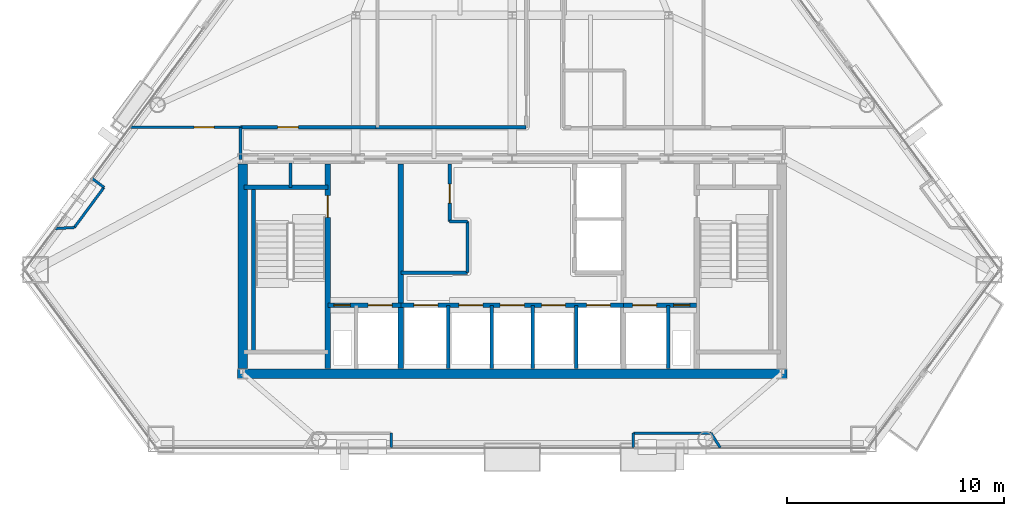
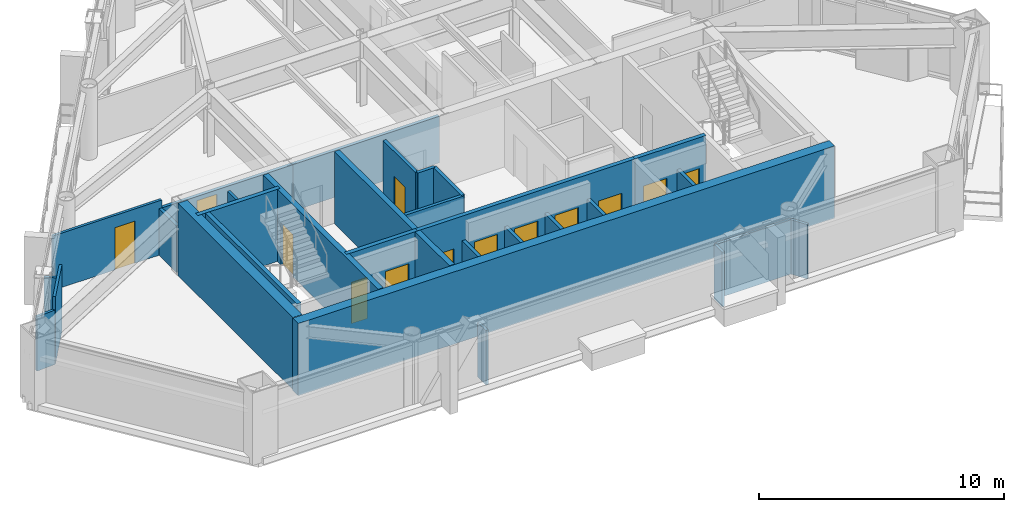
# One storey, part 7 of 11: 30 walls, 13 doors, 13 openings.
"""IFC4 building model written with IfcOpenShell, lengths in metres."""

from ifc_helpers import new_model, si_unit, direction, frame, frame_2d, origin, place, context, subcontext, project, spatial, rectangle, extrude, material, layer, layer_set, type_object, element, fill, save


model = new_model("IFC4")

# Units and contexts
model_context = context("Model", 3, precision=1e-05, world=origin(), true_north=direction((0.0, 1.0)))
body_context = subcontext(model_context, "Body", "Model", "MODEL_VIEW")
ifc_project = project(units=[si_unit("LENGTHUNIT", "METRE"), si_unit("AREAUNIT", "SQUARE_METRE"), si_unit("VOLUMEUNIT", "CUBIC_METRE"), si_unit("PLANEANGLEUNIT", "RADIAN"), si_unit("MASSUNIT", "GRAM", prefix="KILO")], contexts=[model_context])

# Site, building, storey
site_placement = place(None, origin())
site = spatial("IfcSite", under=ifc_project, at=site_placement, CompositionType="ELEMENT")
building_placement = place(site_placement, origin())
building = spatial("IfcBuilding", under=site, at=building_placement, Name="Talgorran Terracotta Tower", CompositionType="ELEMENT")
storey_placement = place(building_placement, frame((0.0, 0.0, 103.199951171875)))
storey = spatial("IfcBuildingStorey", under=building, at=storey_placement, Name="L26", CompositionType="ELEMENT", Elevation=103.199951171875)

# Walls
ifc_material_1 = material(Name="Concrete C50/60", Category="concrete")
ifc_layer_1 = layer(ifc_material_1, 0.199951171875, Name="WT_CORE_200")
ifc_layer_set_1 = layer_set([ifc_layer_1], Name="Concrete C50/60")
wall_type_1 = type_object("IfcWallType", Name="WT_CORE_200", PredefinedType="SOLIDWALL", material=ifc_layer_set_1)
wall_1_placement = place(storey_placement, frame((-12.35009765625, -5.52001953125, 0.0), z_axis=(0.0, 0.0, 1.0), x_axis=(1.0, 0.0, 0.0)))
element("IfcWall", 1, at=wall_1_placement, inside=storey, type_object=wall_type_1, Name="WL-L26-CW-ST1-N", PredefinedType="SOLIDWALL", context=body_context, shape_type="SweptSolid", body=[
    extrude(rectangle(XDim=3.8701171875, YDim=0.199951171875, at=frame_2d((1.93505859375, 0.0))), origin(), (0.0, 0.0, 1.0), 3.60009765625),
])
wall_2_placement = place(storey_placement, frame((-11.89990234375, -13.10009765625, 0.0), z_axis=(0.0, 0.0, 1.0), x_axis=(0.0, 1.0, 0.0)))
element("IfcWall", 2, at=wall_2_placement, inside=storey, type_object=wall_type_1, Name="WL-L26-CW-ST1-W", PredefinedType="SOLIDWALL", context=body_context, shape_type="SweptSolid", body=[
    extrude(rectangle(XDim=7.580078125, YDim=0.199951171875, at=frame_2d((3.7900390625, 0.0))), origin(), (0.0, 0.0, 1.0), 3.60009765625),
])

# Wall, openings, doors
wall_3_placement = place(storey_placement, frame((-8.47998046875, -10.949951171875, 0.0), z_axis=(0.0, 0.0, 1.0), x_axis=(1.0, 0.0, 0.0)))
wall_3 = element("IfcWall", 3, at=wall_3_placement, inside=storey, type_object=wall_type_1, Name="WL-L26-CW-H-SBW", PredefinedType="SOLIDWALL", context=body_context, shape_type="SweptSolid", body=[
    extrude(rectangle(XDim=3.35986328125, YDim=0.199951171875, at=frame_2d((1.679931640625, 0.0))), origin(), (0.0, 0.0, 1.0), 3.60009765625),
])
opening_1_placement = place(wall_3_placement, frame((0.280029296875, 0.0, 0.0)))
opening_1 = element("IfcOpeningElement", 4, at=opening_1_placement, cuts=wall_3, Name="Opening DR-RSW", PredefinedType="OPENING", context=body_context, shape_type="SweptSolid", body=[
    extrude(rectangle(XDim=0.756, YDim=2.054048828125, at=frame_2d((0.375, 1.027099609375))), frame((0.0, 0.10986328125, 0.0), z_axis=(0.0, -1.0, 0.0), x_axis=(1.0, 0.0, 0.0)), (0.0, 0.0, 1.0), 0.219970703125),
])
opening_2_placement = place(wall_3_placement, frame((1.85009765625, 0.0, 0.0)))
opening_2 = element("IfcOpeningElement", 5, at=opening_2_placement, cuts=wall_3, Name="Opening LD-FFL1", PredefinedType="OPENING", context=body_context, shape_type="SweptSolid", body=[
    extrude(rectangle(XDim=1.10609765625, YDim=2.10409765625, at=frame_2d((0.550048828125, 1.052001953125))), frame((0.0, 0.10986328125, 0.0), z_axis=(0.0, -1.0, 0.0), x_axis=(1.0, 0.0, 0.0)), (0.0, 0.0, 1.0), 0.219970703125),
])
ifc_material_2 = material(Name="Brushed Stainless Steel Grade 304", Category="steel")
door_type_1 = type_object("IfcDoorType", Name="DT_LIFT_LD1100", OperationType="DOUBLE_DOOR_SLIDING", PredefinedType="DOOR", material=ifc_material_2)
door_1_placement = place(opening_2_placement, origin())
door_1 = element("IfcDoor", 6, at=door_1_placement, inside=storey, type_object=door_type_1, Name="L26 Lift Landing Door LD-FFL1", OperationType="DOUBLE_DOOR_SLIDING", OverallHeight=2.10009765625, OverallWidth=1.10009765625, PredefinedType="DOOR", context=body_context, shape_type="SweptSolid", body=[
    extrude(rectangle(XDim=1.10009765625, YDim=2.10009765625, at=frame_2d((0.550048828125, 1.050048828125))), frame((0.0, 0.02490234375, 0.0), z_axis=(0.0, -1.0, 0.0), x_axis=(1.0, 0.0, 0.0)), (0.0, 0.0, 1.0), 0.050048828125),
])
fill(opening_2, door_1)
ifc_material_3 = material(Name="Fire-Rated Pressed Steel", Category="steel")
door_type_2 = type_object("IfcDoorType", Name="DT_RISER_750", OperationType="NOTDEFINED", PredefinedType="DOOR", material=ifc_material_3)
door_2_placement = place(opening_1_placement, origin())
door_2 = element("IfcDoor", 7, at=door_2_placement, inside=storey, type_object=door_type_2, Name="DR-RSW", OperationType="SINGLE_SWING_LEFT", OverallHeight=2.050048828125, OverallWidth=0.75, PredefinedType="DOOR", context=body_context, shape_type="SweptSolid", body=[
    extrude(rectangle(XDim=0.75, YDim=2.050048828125, at=frame_2d((0.375, 1.02490234375))), frame((0.0, 0.02490234375, 0.0), z_axis=(0.0, -1.0, 0.0), x_axis=(1.0, 0.0, 0.0)), (0.0, 0.0, 1.0), 0.050048828125),
])
fill(opening_1, door_2)

wall_4_placement = place(storey_placement, frame((-5.1201171875, -10.949951171875, 0.0), z_axis=(0.0, 0.0, 1.0), x_axis=(1.0, 0.0, 0.0)))
wall_4 = element("IfcWall", 8, at=wall_4_placement, inside=storey, type_object=wall_type_1, Name="WL-L26-CW-H-SBC", PredefinedType="SOLIDWALL", context=body_context, shape_type="SweptSolid", body=[
    extrude(rectangle(XDim=10.240234375, YDim=0.199951171875, at=frame_2d((5.1201171875, 0.0))), origin(), (0.0, 0.0, 1.0), 3.60009765625),
])
opening_3_placement = place(wall_4_placement, frame((0.60009765625, 0.0, 0.0)))
opening_3 = element("IfcOpeningElement", 9, at=opening_3_placement, cuts=wall_4, Name="Opening LD-OB1", PredefinedType="OPENING", context=body_context, shape_type="SweptSolid", body=[
    extrude(rectangle(XDim=1.10609765625, YDim=2.10409765625, at=frame_2d((0.550048828125, 1.052001953125))), frame((0.0, 0.10986328125, 0.0), z_axis=(0.0, -1.0, 0.0), x_axis=(1.0, 0.0, 0.0)), (0.0, 0.0, 1.0), 0.219970703125),
])
opening_4_placement = place(wall_4_placement, frame((2.669921875, 0.0, 0.0)))
opening_4 = element("IfcOpeningElement", 10, at=opening_4_placement, cuts=wall_4, Name="Opening LD-PLH1", PredefinedType="OPENING", context=body_context, shape_type="SweptSolid", body=[
    extrude(rectangle(XDim=1.10609765625, YDim=2.10409765625, at=frame_2d((0.550048828125, 1.052001953125))), frame((0.0, 0.10986328125, 0.0), z_axis=(0.0, -1.0, 0.0), x_axis=(1.0, 0.0, 0.0)), (0.0, 0.0, 1.0), 0.219970703125),
])
opening_5_placement = place(wall_4_placement, frame((4.570068359375, 0.0, 0.0)))
opening_5 = element("IfcOpeningElement", 11, at=opening_5_placement, cuts=wall_4, Name="Opening LD-PLH2", PredefinedType="OPENING", context=body_context, shape_type="SweptSolid", body=[
    extrude(rectangle(XDim=1.10609765625, YDim=2.10409765625, at=frame_2d((0.550048828125, 1.052001953125))), frame((0.0, 0.10986328125, 0.0), z_axis=(0.0, -1.0, 0.0), x_axis=(1.0, 0.0, 0.0)), (0.0, 0.0, 1.0), 0.219970703125),
])
opening_6_placement = place(wall_4_placement, frame((6.469970703125, 0.0, 0.0)))
opening_6 = element("IfcOpeningElement", 12, at=opening_6_placement, cuts=wall_4, Name="Opening LD-PLH3", PredefinedType="OPENING", context=body_context, shape_type="SweptSolid", body=[
    extrude(rectangle(XDim=1.10609765625, YDim=2.10409765625, at=frame_2d((0.550048828125, 1.052001953125))), frame((0.0, 0.10986328125, 0.0), z_axis=(0.0, -1.0, 0.0), x_axis=(1.0, 0.0, 0.0)), (0.0, 0.0, 1.0), 0.219970703125),
])
opening_7_placement = place(wall_4_placement, frame((8.5400390625, 0.0, 0.0)))
opening_7 = element("IfcOpeningElement", 13, at=opening_7_placement, cuts=wall_4, Name="Opening LD-SVL1", PredefinedType="OPENING", context=body_context, shape_type="SweptSolid", body=[
    extrude(rectangle(XDim=1.10609765625, YDim=2.10409765625, at=frame_2d((0.550048828125, 1.052001953125))), frame((0.0, 0.10986328125, 0.0), z_axis=(0.0, -1.0, 0.0), x_axis=(1.0, 0.0, 0.0)), (0.0, 0.0, 1.0), 0.219970703125),
])
door_3_placement = place(opening_3_placement, origin())
door_3 = element("IfcDoor", 14, at=door_3_placement, inside=storey, type_object=door_type_1, Name="L26 Lift Landing Door LD-OB1", OperationType="DOUBLE_DOOR_SLIDING", OverallHeight=2.10009765625, OverallWidth=1.10009765625, PredefinedType="DOOR", context=body_context, shape_type="SweptSolid", body=[
    extrude(rectangle(XDim=1.10009765625, YDim=2.10009765625, at=frame_2d((0.550048828125, 1.050048828125))), frame((0.0, 0.02490234375, 0.0), z_axis=(0.0, -1.0, 0.0), x_axis=(1.0, 0.0, 0.0)), (0.0, 0.0, 1.0), 0.050048828125),
])
fill(opening_3, door_3)
door_4_placement = place(opening_4_placement, origin())
door_4 = element("IfcDoor", 15, at=door_4_placement, inside=storey, type_object=door_type_1, Name="L26 Lift Landing Door LD-PLH1", OperationType="DOUBLE_DOOR_SLIDING", OverallHeight=2.10009765625, OverallWidth=1.10009765625, PredefinedType="DOOR", context=body_context, shape_type="SweptSolid", body=[
    extrude(rectangle(XDim=1.10009765625, YDim=2.10009765625, at=frame_2d((0.550048828125, 1.050048828125))), frame((0.0, 0.02490234375, 0.0), z_axis=(0.0, -1.0, 0.0), x_axis=(1.0, 0.0, 0.0)), (0.0, 0.0, 1.0), 0.050048828125),
])
fill(opening_4, door_4)
door_5_placement = place(opening_5_placement, origin())
door_5 = element("IfcDoor", 16, at=door_5_placement, inside=storey, type_object=door_type_1, Name="L26 Lift Landing Door LD-PLH2", OperationType="DOUBLE_DOOR_SLIDING", OverallHeight=2.10009765625, OverallWidth=1.10009765625, PredefinedType="DOOR", context=body_context, shape_type="SweptSolid", body=[
    extrude(rectangle(XDim=1.10009765625, YDim=2.10009765625, at=frame_2d((0.550048828125, 1.050048828125))), frame((0.0, 0.02490234375, 0.0), z_axis=(0.0, -1.0, 0.0), x_axis=(1.0, 0.0, 0.0)), (0.0, 0.0, 1.0), 0.050048828125),
])
fill(opening_5, door_5)
door_6_placement = place(opening_6_placement, origin())
door_6 = element("IfcDoor", 17, at=door_6_placement, inside=storey, type_object=door_type_1, Name="L26 Lift Landing Door LD-PLH3", OperationType="DOUBLE_DOOR_SLIDING", OverallHeight=2.10009765625, OverallWidth=1.10009765625, PredefinedType="DOOR", context=body_context, shape_type="SweptSolid", body=[
    extrude(rectangle(XDim=1.10009765625, YDim=2.10009765625, at=frame_2d((0.550048828125, 1.050048828125))), frame((0.0, 0.02490234375, 0.0), z_axis=(0.0, -1.0, 0.0), x_axis=(1.0, 0.0, 0.0)), (0.0, 0.0, 1.0), 0.050048828125),
])
fill(opening_6, door_6)
door_7_placement = place(opening_7_placement, origin())
door_7 = element("IfcDoor", 18, at=door_7_placement, inside=storey, type_object=door_type_1, Name="L26 Lift Landing Door LD-SVL1", OperationType="DOUBLE_DOOR_SLIDING", OverallHeight=2.10009765625, OverallWidth=1.10009765625, PredefinedType="DOOR", context=body_context, shape_type="SweptSolid", body=[
    extrude(rectangle(XDim=1.10009765625, YDim=2.10009765625, at=frame_2d((0.550048828125, 1.050048828125))), frame((0.0, 0.02490234375, 0.0), z_axis=(0.0, -1.0, 0.0), x_axis=(1.0, 0.0, 0.0)), (0.0, 0.0, 1.0), 0.050048828125),
])
fill(opening_7, door_7)

wall_5_placement = place(storey_placement, frame((5.1201171875, -10.949951171875, 0.0), z_axis=(0.0, 0.0, 1.0), x_axis=(1.0, 0.0, 0.0)))
wall_5 = element("IfcWall", 19, at=wall_5_placement, inside=storey, type_object=wall_type_1, Name="WL-L26-CW-H-SBE", PredefinedType="SOLIDWALL", context=body_context, shape_type="SweptSolid", body=[
    extrude(rectangle(XDim=3.35986328125, YDim=0.199951171875, at=frame_2d((1.679931640625, 0.0))), origin(), (0.0, 0.0, 1.0), 3.60009765625),
])
opening_8_placement = place(wall_5_placement, frame((0.419921875, 0.0, 0.0)))
opening_8 = element("IfcOpeningElement", 20, at=opening_8_placement, cuts=wall_5, Name="Opening LD-FFL2", PredefinedType="OPENING", context=body_context, shape_type="SweptSolid", body=[
    extrude(rectangle(XDim=1.10609765625, YDim=2.10409765625, at=frame_2d((0.550048828125, 1.052001953125))), frame((0.0, 0.10986328125, 0.0), z_axis=(0.0, -1.0, 0.0), x_axis=(1.0, 0.0, 0.0)), (0.0, 0.0, 1.0), 0.219970703125),
])
opening_9_placement = place(wall_5_placement, frame((2.300048828125, 0.0, 0.0)))
opening_9 = element("IfcOpeningElement", 21, at=opening_9_placement, cuts=wall_5, Name="Opening DR-RSE", PredefinedType="OPENING", context=body_context, shape_type="SweptSolid", body=[
    extrude(rectangle(XDim=0.756, YDim=2.054048828125, at=frame_2d((0.375, 1.027099609375))), frame((0.0, 0.10986328125, 0.0), z_axis=(0.0, -1.0, 0.0), x_axis=(1.0, 0.0, 0.0)), (0.0, 0.0, 1.0), 0.219970703125),
])
door_8_placement = place(opening_8_placement, origin())
door_8 = element("IfcDoor", 22, at=door_8_placement, inside=storey, type_object=door_type_1, Name="L26 Lift Landing Door LD-FFL2", OperationType="DOUBLE_DOOR_SLIDING", OverallHeight=2.10009765625, OverallWidth=1.10009765625, PredefinedType="DOOR", context=body_context, shape_type="SweptSolid", body=[
    extrude(rectangle(XDim=1.10009765625, YDim=2.10009765625, at=frame_2d((0.550048828125, 1.050048828125))), frame((0.0, 0.02490234375, 0.0), z_axis=(0.0, -1.0, 0.0), x_axis=(1.0, 0.0, 0.0)), (0.0, 0.0, 1.0), 0.050048828125),
])
fill(opening_8, door_8)
door_9_placement = place(opening_9_placement, origin())
door_9 = element("IfcDoor", 23, at=door_9_placement, inside=storey, type_object=door_type_2, Name="DR-RSE", OperationType="SINGLE_SWING_RIGHT", OverallHeight=2.050048828125, OverallWidth=0.75, PredefinedType="DOOR", context=body_context, shape_type="SweptSolid", body=[
    extrude(rectangle(XDim=0.75, YDim=2.050048828125, at=frame_2d((0.375, 1.02490234375))), frame((0.0, 0.02490234375, 0.0), z_axis=(0.0, -1.0, 0.0), x_axis=(1.0, 0.0, 0.0)), (0.0, 0.0, 1.0), 0.050048828125),
])
fill(opening_9, door_9)

# Wall, opening, door
ifc_layer_2 = layer(ifc_material_1, 0.25, Name="WT_CORE_250")
ifc_layer_set_2 = layer_set([ifc_layer_2], Name="Concrete C50/60")
wall_type_2 = type_object("IfcWallType", Name="WT_CORE_250", PredefinedType="SHEAR", material=ifc_layer_set_2)
wall_6_placement = place(storey_placement, frame((-8.47998046875, -13.85009765625, 0.0), z_axis=(0.0, 0.0, 1.0), x_axis=(0.0, 1.0, 0.0)))
wall_6 = element("IfcWall", 24, at=wall_6_placement, inside=storey, type_object=wall_type_2, Name="WL-L26-CW-V-W1", PredefinedType="SHEAR", context=body_context, shape_type="SweptSolid", body=[
    extrude(rectangle(XDim=9.400146484375, YDim=0.25, at=frame_2d((4.7001953125, 0.0))), origin(), (0.0, 0.0, 1.0), 3.60009765625),
])
opening_10_placement = place(wall_6_placement, frame((6.949951171875, 0.0, 0.0)))
opening_10 = element("IfcOpeningElement", 25, at=opening_10_placement, cuts=wall_6, Name="Opening DR-ST01", PredefinedType="OPENING", context=body_context, shape_type="SweptSolid", body=[
    extrude(rectangle(XDim=1.006, YDim=2.10409765625, at=frame_2d((0.5, 1.052001953125))), frame((0.0, 0.135009765625, 0.0), z_axis=(0.0, -1.0, 0.0), x_axis=(1.0, 0.0, 0.0)), (0.0, 0.0, 1.0), 0.27001953125),
])
door_type_3 = type_object("IfcDoorType", Name="DT_FIRE_1000", OperationType="NOTDEFINED", PredefinedType="DOOR", material=ifc_material_3)
door_10_placement = place(opening_10_placement, origin())
door_10 = element("IfcDoor", 26, at=door_10_placement, inside=storey, type_object=door_type_3, Name="DR-ST01", OperationType="SINGLE_SWING_LEFT", OverallHeight=2.10009765625, OverallWidth=1.0, PredefinedType="DOOR", context=body_context, shape_type="SweptSolid", body=[
    extrude(rectangle(XDim=1.0, YDim=2.10009765625, at=frame_2d((0.5, 1.050048828125))), frame((0.0, 0.02490234375, 0.0), z_axis=(0.0, -1.0, 0.0), x_axis=(1.0, 0.0, 0.0)), (0.0, 0.0, 1.0), 0.050048828125),
])
fill(opening_10, door_10)

# Walls
wall_7_placement = place(storey_placement, frame((-5.1201171875, -13.85009765625, 0.0), z_axis=(0.0, 0.0, 1.0), x_axis=(0.0, 1.0, 0.0)))
element("IfcWall", 27, at=wall_7_placement, inside=storey, type_object=wall_type_2, Name="WL-L26-CW-V-W2", PredefinedType="SHEAR", context=body_context, shape_type="SweptSolid", body=[
    extrude(rectangle(XDim=9.400146484375, YDim=0.25, at=frame_2d((4.7001953125, 0.0))), origin(), (0.0, 0.0, 1.0), 3.60009765625),
])
ifc_material_4 = material(Name="Concrete C65/80", Category="concrete")
ifc_layer_3 = layer(ifc_material_4, 0.449951171875, Name="WT_CORE_EXT")
ifc_layer_set_3 = layer_set([ifc_layer_3], Name="Concrete C65/80")
wall_type_3 = type_object("IfcWallType", Name="WT_CORE_EXT", PredefinedType="SHEAR", material=ifc_layer_set_3)
wall_8_placement = place(storey_placement, frame((-12.64990234375, -14.10009765625, 0.0), z_axis=(0.0, 0.0, 1.0), x_axis=(1.0, 0.0, 0.0)))
element("IfcWall", 28, at=wall_8_placement, inside=storey, type_object=wall_type_3, Name="WL-L26-CW-OUT-S", PredefinedType="SHEAR", context=body_context, shape_type="SweptSolid", body=[
    extrude(rectangle(XDim=25.2998046875, YDim=0.449951171875, at=frame_2d((12.64990234375, 0.0))), origin(), (0.0, 0.0, 1.0), 3.60009765625),
])
wall_9_placement = place(storey_placement, frame((-12.39990234375, -13.85009765625, 0.0), z_axis=(0.0, 0.0, 1.0), x_axis=(0.0, 1.0, 0.0)))
element("IfcWall", 29, at=wall_9_placement, inside=storey, type_object=wall_type_3, Name="WL-L26-CW-OUT-W", PredefinedType="SHEAR", context=body_context, shape_type="SweptSolid", body=[
    extrude(rectangle(XDim=9.400146484375, YDim=0.449951171875, at=frame_2d((4.7001953125, 0.0))), origin(), (0.0, 0.0, 1.0), 3.60009765625),
])
ifc_material_5 = material(Name="Fire-Rated Steel Stud Plasterboard", Category="steel")
ifc_layer_4 = layer(ifc_material_5, 0.14990234375, Name="WT_FIRE_150")
ifc_layer_set_4 = layer_set([ifc_layer_4], Name="Fire-Rated Steel Stud Plasterboard")
wall_type_4 = type_object("IfcWallType", Name="WT_FIRE_150", PredefinedType="PARTITIONING", material=ifc_layer_set_4)
wall_10_placement = place(storey_placement, frame((-5.1201171875, -9.449951171875, 0.0), z_axis=(0.0, 0.0, 1.0), x_axis=(1.0, 0.0, 0.0)))
element("IfcWall", 30, at=wall_10_placement, inside=storey, type_object=wall_type_4, Name="WL-L26-CW-H-W4N", PredefinedType="PARTITIONING", context=body_context, shape_type="SweptSolid", body=[
    extrude(rectangle(XDim=3.06005859375, YDim=0.14990234375, at=frame_2d((1.530029296875, 0.0))), origin(), (0.0, 0.0, 1.0), 3.35009765625),
])
wall_11_placement = place(storey_placement, frame((-2.06005859375, -9.449951171875, 0.0), z_axis=(0.0, 0.0, 1.0), x_axis=(0.0, 1.0, 0.0)))
element("IfcWall", 31, at=wall_11_placement, inside=storey, type_object=wall_type_4, Name="WL-L26-CW-V-W3S2", PredefinedType="PARTITIONING", context=body_context, shape_type="SweptSolid", body=[
    extrude(rectangle(XDim=2.349853515625, YDim=0.14990234375, at=frame_2d((1.1748046875, 0.0))), origin(), (0.0, 0.0, 1.0), 3.35009765625),
])
wall_12_placement = place(storey_placement, frame((-2.8798828125, -7.10009765625, 0.0), z_axis=(0.0, 0.0, 1.0), x_axis=(1.0, 0.0, 0.0)))
element("IfcWall", 32, at=wall_12_placement, inside=storey, type_object=wall_type_4, Name="WL-L26-CW-H-W3M2", PredefinedType="PARTITIONING", context=body_context, shape_type="SweptSolid", body=[
    extrude(rectangle(XDim=0.81982421875, YDim=0.14990234375, at=frame_2d((0.409912109375, 0.0))), origin(), (0.0, 0.0, 1.0), 3.35009765625),
])

# Wall, opening, door
wall_13_placement = place(storey_placement, frame((-2.8798828125, -7.10009765625, 0.0), z_axis=(0.0, 0.0, 1.0), x_axis=(0.0, 1.0, 0.0)))
wall_13 = element("IfcWall", 33, at=wall_13_placement, inside=storey, type_object=wall_type_4, Name="WL-L26-CW-V-W3N", PredefinedType="PARTITIONING", context=body_context, shape_type="SweptSolid", body=[
    extrude(rectangle(XDim=2.650146484375, YDim=0.14990234375, at=frame_2d((1.3251953125, 0.0))), origin(), (0.0, 0.0, 1.0), 3.35009765625),
])
opening_11_placement = place(wall_13_placement, frame((0.85009765625, 0.0, 0.0)))
opening_11 = element("IfcOpeningElement", 34, at=opening_11_placement, cuts=wall_13, Name="Opening DR-FRPLL-B", PredefinedType="OPENING", context=body_context, shape_type="SweptSolid", body=[
    extrude(rectangle(XDim=0.8858828125, YDim=2.10409765625, at=frame_2d((0.43994140625, 1.052001953125))), frame((0.0, 0.0849609375, 0.0), z_axis=(0.0, -1.0, 0.0), x_axis=(1.0, 0.0, 0.0)), (0.0, 0.0, 1.0), 0.169921875),
])
ifc_material_6 = material(Name="Solid-Core Painted Timber", Category="wood")
door_type_4 = type_object("IfcDoorType", Name="DT_INT_880", OperationType="NOTDEFINED", PredefinedType="DOOR", material=ifc_material_6)
door_11_placement = place(opening_11_placement, origin())
door_11 = element("IfcDoor", 35, at=door_11_placement, inside=storey, type_object=door_type_4, Name="DR-FRPLL-B", OperationType="SINGLE_SWING_LEFT", OverallHeight=2.10009765625, OverallWidth=0.8798828125, PredefinedType="DOOR", context=body_context, shape_type="SweptSolid", body=[
    extrude(rectangle(XDim=0.8798828125, YDim=2.10009765625, at=frame_2d((0.43994140625, 1.050048828125))), frame((0.0, 0.02490234375, 0.0), z_axis=(0.0, -1.0, 0.0), x_axis=(1.0, 0.0, 0.0)), (0.0, 0.0, 1.0), 0.050048828125),
])
fill(opening_11, door_11)

# Wall
wall_14_placement = place(storey_placement, frame((-6.260009765625, -2.760009765625, 0.0), z_axis=(0.0, 0.0, 1.0), x_axis=(1.0, 0.0, 0.0)))
element("IfcWall", 36, at=wall_14_placement, inside=storey, type_object=wall_type_4, Name="WL-L26-W-L26-R06", PredefinedType="PARTITIONING", context=body_context, shape_type="SweptSolid", body=[
    extrude(rectangle(XDim=6.89990234375, YDim=0.14990234375, at=frame_2d((3.449951171875, 0.0))), origin(), (0.0, 0.0, 1.0), 2.324951171875),
])

# Wall, opening, door
wall_15_placement = place(storey_placement, frame((-12.5, -2.760009765625, 0.0), z_axis=(0.0, 0.0, 1.0), x_axis=(1.0, 0.0, 0.0)))
wall_15 = element("IfcWall", 37, at=wall_15_placement, inside=storey, type_object=wall_type_4, Name="WL-L26-W-L26-R03", PredefinedType="PARTITIONING", context=body_context, shape_type="SweptSolid", body=[
    extrude(rectangle(XDim=6.238037109375, YDim=0.14990234375, at=frame_2d((3.119140625, 0.0))), origin(), (0.0, 0.0, 1.0), 2.324951171875),
])
opening_12_placement = place(wall_15_placement, frame((1.710693359375, 0.0, 0.0)))
opening_12 = element("IfcOpeningElement", 38, at=opening_12_placement, cuts=wall_15, Name="Opening DR-L26-R02", PredefinedType="OPENING", context=body_context, shape_type="SweptSolid", body=[
    extrude(rectangle(XDim=0.955951171875, YDim=2.10409765625, at=frame_2d((0.47509765625, 1.052001953125))), frame((0.0, 0.0849609375, 0.0), z_axis=(0.0, -1.0, 0.0), x_axis=(1.0, 0.0, 0.0)), (0.0, 0.0, 1.0), 0.169921875),
])
ifc_material_7 = material(Name="Fire-Rated Timber Core", Category="wood")
door_type_5 = type_object("IfcDoorType", Name="DT_FIRE_950", OperationType="NOTDEFINED", PredefinedType="DOOR", material=ifc_material_7)
door_12_placement = place(opening_12_placement, origin())
door_12 = element("IfcDoor", 39, at=door_12_placement, inside=storey, type_object=door_type_5, Name="DR-L26-R02", OperationType="SINGLE_SWING_RIGHT", OverallHeight=2.10009765625, OverallWidth=0.949951171875, PredefinedType="DOOR", context=body_context, shape_type="SweptSolid", body=[
    extrude(rectangle(XDim=0.949951171875, YDim=2.10009765625, at=frame_2d((0.47509765625, 1.050048828125))), frame((0.0, 0.02490234375, 0.0), z_axis=(0.0, -1.0, 0.0), x_axis=(1.0, 0.0, 0.0)), (0.0, 0.0, 1.0), 0.050048828125),
])
fill(opening_12, door_12)

# Walls
wall_16_placement = place(storey_placement, frame((-12.5, -4.239990234375, 0.0), z_axis=(0.0, 0.0, 1.0), x_axis=(0.0, 1.0, 0.0)))
element("IfcWall", 40, at=wall_16_placement, inside=storey, type_object=wall_type_4, Name="WL-L26-W-L26-R13", PredefinedType="PARTITIONING", context=body_context, shape_type="SweptSolid", body=[
    extrude(rectangle(XDim=1.47998046875, YDim=0.14990234375, at=frame_2d((0.739990234375, 0.0))), origin(), (0.0, 0.0, 1.0), 2.324951171875),
])
ifc_material_8 = material(Name="Insulated Steel Stud Plasterboard", Category="steel")
ifc_layer_5 = layer(ifc_material_8, 0.1201171875, Name="WT_PART_120")
ifc_layer_set_5 = layer_set([ifc_layer_5], Name="Insulated Steel Stud Plasterboard")
wall_type_5 = type_object("IfcWallType", Name="WT_PART_120", PredefinedType="PARTITIONING", material=ifc_layer_set_5)
wall_17_placement = place(storey_placement, frame((-10.199951171875, -5.52001953125, 0.0), z_axis=(0.0, 0.0, 1.0), x_axis=(0.0, 1.0, 0.0)))
element("IfcWall", 41, at=wall_17_placement, inside=storey, type_object=wall_type_5, Name="WL-L26-CW-CSW-DIV", PredefinedType="PARTITIONING", context=body_context, shape_type="SweptSolid", body=[
    extrude(rectangle(XDim=1.1201171875, YDim=0.1201171875, at=frame_2d((0.56005859375, 0.0))), origin(), (0.0, 0.0, 1.0), 3.35009765625),
])

# Wall, opening, door
wall_18_placement = place(storey_placement, frame((-17.579833984375, -2.760009765625, 0.0), z_axis=(0.0, 0.0, 1.0), x_axis=(1.0, 0.0, 0.0)))
wall_18 = element("IfcWall", 42, at=wall_18_placement, inside=storey, type_object=wall_type_5, Name="WL-L26-W-L26-R19", PredefinedType="PARTITIONING", context=body_context, shape_type="SweptSolid", body=[
    extrude(rectangle(XDim=5.139892578125, YDim=0.1201171875, at=frame_2d((2.56982421875, 0.0))), origin(), (0.0, 0.0, 1.0), 2.71337890625),
])
opening_13_placement = place(wall_18_placement, frame((2.93994140625, 0.0, 0.0)))
opening_13 = element("IfcOpeningElement", 43, at=opening_13_placement, cuts=wall_18, Name="Opening DR-L26-R08", PredefinedType="OPENING", context=body_context, shape_type="SweptSolid", body=[
    extrude(rectangle(XDim=0.925921875, YDim=2.10409765625, at=frame_2d((0.4599609375, 1.052001953125))), frame((0.0, 0.070068359375, 0.0), z_axis=(0.0, -1.0, 0.0), x_axis=(1.0, 0.0, 0.0)), (0.0, 0.0, 1.0), 0.14013671875),
])
door_type_6 = type_object("IfcDoorType", Name="DT_INT_920", OperationType="NOTDEFINED", PredefinedType="DOOR", material=ifc_material_6)
door_13_placement = place(opening_13_placement, origin())
door_13 = element("IfcDoor", 44, at=door_13_placement, inside=storey, type_object=door_type_6, Name="DR-L26-R08", OperationType="SINGLE_SWING_RIGHT", OverallHeight=2.10009765625, OverallWidth=0.919921875, PredefinedType="DOOR", context=body_context, shape_type="SweptSolid", body=[
    extrude(rectangle(XDim=0.919921875, YDim=2.10009765625, at=frame_2d((0.4599609375, 1.050048828125))), frame((0.0, 0.02490234375, 0.0), z_axis=(0.0, -1.0, 0.0), x_axis=(1.0, 0.0, 0.0)), (0.0, 0.0, 1.0), 0.050048828125),
])
fill(opening_13, door_13)

# Walls
wall_19_placement = place(storey_placement, frame((5.572509765625, -16.827880859375, 0.0), z_axis=(0.0, 0.0, 1.0), x_axis=(1.0, 0.0, 0.0)))
element("IfcWall", 45, at=wall_19_placement, inside=storey, type_object=wall_type_5, Name="WL-L26-BW-L26-06", PredefinedType="PARTITIONING", context=body_context, shape_type="SweptSolid", body=[
    extrude(rectangle(XDim=3.568603515625, YDim=0.1201171875, at=frame_2d((1.7841796875, 0.0))), origin(), (0.0, 0.0, 1.0), 2.71337890625),
])
wall_20_placement = place(storey_placement, frame((-18.779296875, -5.523681640625, 0.0), z_axis=(0.0, 0.0, 1.0), x_axis=(-0.594914508596, -0.803788981924, 0.0)))
element("IfcWall", 46, at=wall_20_placement, inside=storey, type_object=wall_type_5, Name="WL-L26-BW-L26-08", PredefinedType="PARTITIONING", context=body_context, shape_type="SweptSolid", body=[
    extrude(rectangle(XDim=2.29443359375, YDim=0.1201171875, at=frame_2d((1.147216796875, 0.0))), origin(), (0.0, 0.0, 1.0), 3.35009765625),
])
wall_21_placement = place(storey_placement, frame((-20.144287109375, -7.367919921875, 0.0), z_axis=(0.0, 0.0, 1.0), x_axis=(-0.998195482696, -0.060048133402, 0.0)))
element("IfcWall", 47, at=wall_21_placement, inside=storey, type_object=wall_type_5, Name="WL-L26-BW-L26-09", PredefinedType="PARTITIONING", context=body_context, shape_type="SweptSolid", body=[
    extrude(rectangle(XDim=0.8740234375, YDim=0.1201171875, at=frame_2d((0.43701171875, 0.0))), origin(), (0.0, 0.0, 1.0), 2.71337890625),
])
wall_22_placement = place(storey_placement, frame((9.14111328125, -16.827880859375, 0.0), z_axis=(0.0, 0.0, 1.0), x_axis=(0.535959408162, -0.844243752007, 0.0)))
element("IfcWall", 48, at=wall_22_placement, inside=storey, type_object=wall_type_5, Name="WL-L26-BW-L26-04", PredefinedType="PARTITIONING", context=body_context, shape_type="SweptSolid", body=[
    extrude(rectangle(XDim=0.79345703125, YDim=0.1201171875, at=frame_2d((0.396728515625, 0.0))), origin(), (0.0, 0.0, 1.0), 2.71337890625),
])
wall_23_placement = place(storey_placement, frame((-19.31787109375, -5.125, 0.0), z_axis=(0.0, 0.0, 1.0), x_axis=(0.803744328022, -0.594974835748, 0.0)))
element("IfcWall", 49, at=wall_23_placement, inside=storey, type_object=wall_type_5, Name="WL-L26-BW-L26-07", PredefinedType="PARTITIONING", context=body_context, shape_type="SweptSolid", body=[
    extrude(rectangle(XDim=0.670166015625, YDim=0.1201171875, at=frame_2d((0.3349609375, 0.0))), origin(), (0.0, 0.0, 1.0), 2.71337890625),
])
for number, where, z_axis, x_axis, name in (
    (50, (-5.572509765625, -16.827880859375, 0.0), (0.0, 0.0, 1.0), (0.0, -1.0, 0.0), "WL-L26-BW-L26-02"),
    (51, (5.572509765625, -17.497802734375, 0.0), (0.0, 0.0, 1.0), (0.0, 1.0, 0.0), "WL-L26-BW-L26-05"),
):
    element("IfcWall", number, at=place(storey_placement, frame(where, z_axis=z_axis, x_axis=x_axis)), inside=storey, type_object=wall_type_5, Name=name, PredefinedType="PARTITIONING", context=body_context, shape_type="SweptSolid", body=[
        extrude(rectangle(XDim=0.669921875, YDim=0.1201171875, at=frame_2d((0.3349609375, 0.0))), origin(), (0.0, 0.0, 1.0), 2.71337890625),
    ])
ifc_material_9 = material(Name="Fire-Rated Shaftwall")
ifc_layer_6 = layer(ifc_material_9, 0.159912109375, Name="WT_PART_150")
ifc_layer_set_6 = layer_set([ifc_layer_6], Name="Fire-Rated Shaftwall")
wall_type_6 = type_object("IfcWallType", Name="WT_PART_150", PredefinedType="PARTITIONING", material=ifc_layer_set_6)
for number, where, z_axis, x_axis, name in (
    (52, (7.179931640625, -13.85009765625, 0.0), (0.0, 0.0, 1.0), (0.0, 1.0, 0.0), "WL-L26-CW-RSE"),
    (53, (-2.949951171875, -13.85009765625, 0.0), (0.0, 0.0, 1.0), (0.0, 1.0, 0.0), "WL-L26-CW-OB-E"),
    (54, (2.949951171875, -13.85009765625, 0.0), (0.0, 0.0, 1.0), (0.0, 1.0, 0.0), "WL-L26-CW-SV-W"),
    (55, (-0.949951171875, -13.85009765625, 0.0), (0.0, 0.0, 1.0), (0.0, 1.0, 0.0), "WL-L26-CW-PLH-D1"),
    (56, (0.949951171875, -13.85009765625, 0.0), (0.0, 0.0, 1.0), (0.0, 1.0, 0.0), "WL-L26-CW-PLH-D2"),
):
    element("IfcWall", number, at=place(storey_placement, frame(where, z_axis=z_axis, x_axis=x_axis)), inside=storey, type_object=wall_type_6, Name=name, PredefinedType="PARTITIONING", context=body_context, shape_type="SweptSolid", body=[
        extrude(rectangle(XDim=2.900146484375, YDim=0.159912109375, at=frame_2d((1.4501953125, 0.0))), origin(), (0.0, 0.0, 1.0), 2.375),
    ])

save(model, "model.ifc")
